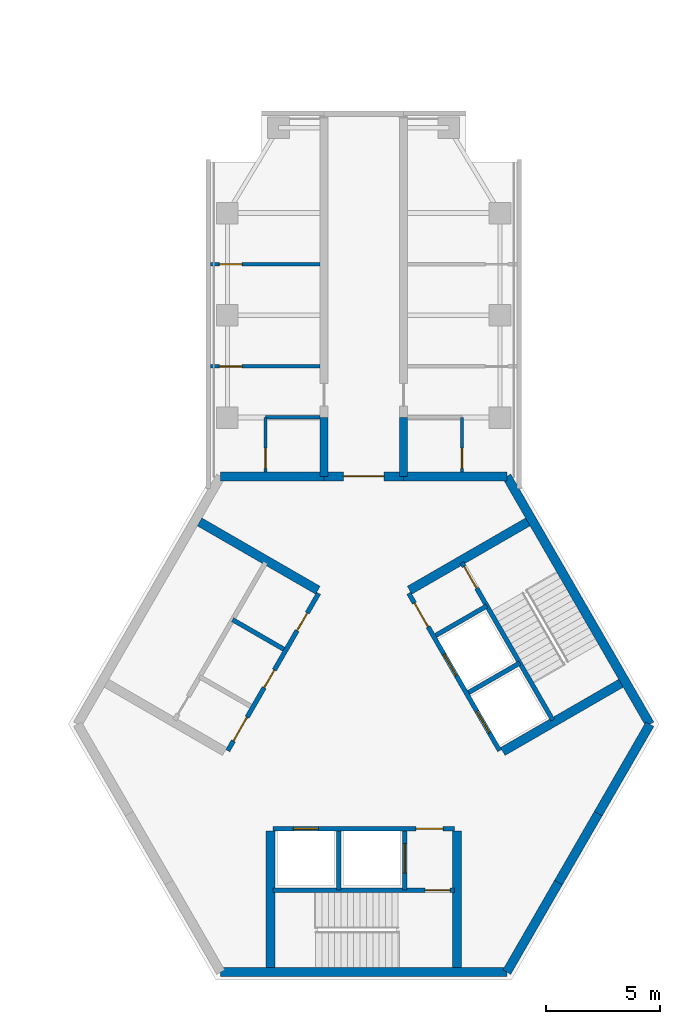
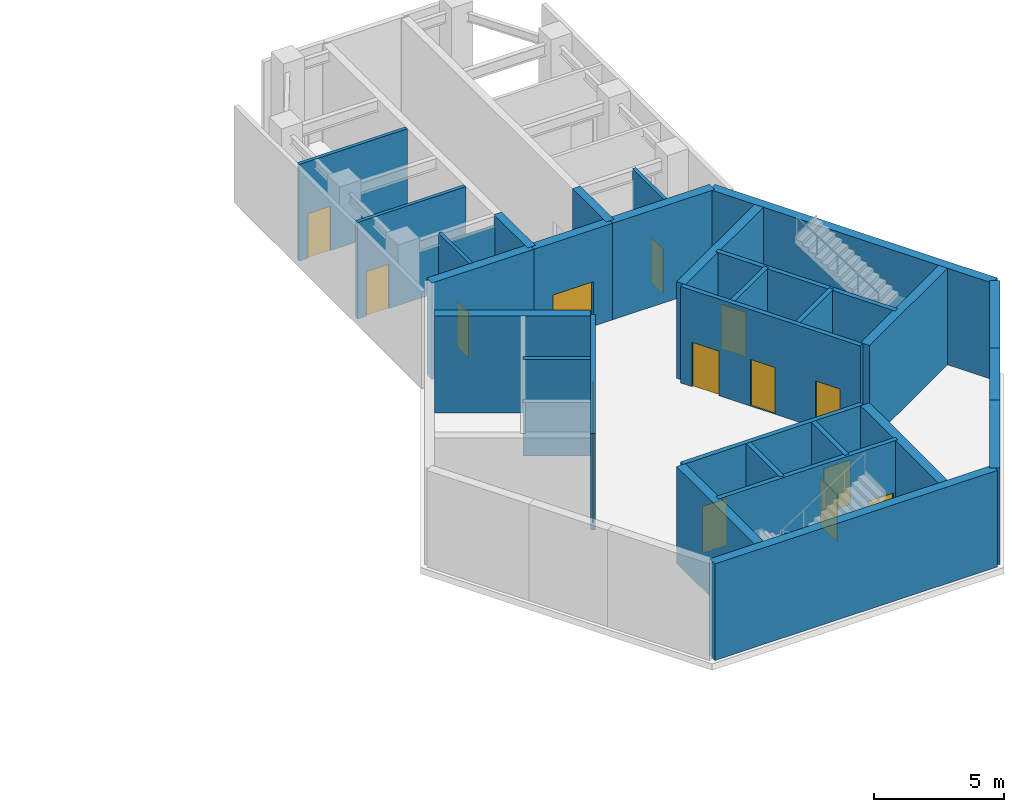
# One storey, part 5 of 8: 30 walls, 16 doors, 16 openings.
"""IFC4 building model written with IfcOpenShell, lengths in metres."""

from ifc_helpers import new_model, si_unit, direction, frame, frame_2d, origin, place, context, subcontext, project, spatial, rectangle, extrude, material, layer, layer_set, type_object, element, fill, save


model = new_model("IFC4")

# Units and contexts
model_context = context("Model", 3, precision=1e-05, world=origin(), true_north=direction((0.0, 1.0)))
body_context = subcontext(model_context, "Body", "Model", "MODEL_VIEW")
ifc_project = project(units=[si_unit("LENGTHUNIT", "METRE"), si_unit("AREAUNIT", "SQUARE_METRE"), si_unit("VOLUMEUNIT", "CUBIC_METRE"), si_unit("PLANEANGLEUNIT", "RADIAN"), si_unit("MASSUNIT", "GRAM", prefix="KILO")], contexts=[model_context])

# Site, building, storey
site_placement = place(None, origin())
site = spatial("IfcSite", under=ifc_project, at=site_placement, CompositionType="ELEMENT")
building_placement = place(site_placement, origin())
building = spatial("IfcBuilding", under=site, at=building_placement, Name="Upepo Twin Towers", CompositionType="ELEMENT")
storey_placement = place(building_placement, frame((0.0, 0.0, 291.5)))
storey = spatial("IfcBuildingStorey", under=building, at=storey_placement, Name="L71", CompositionType="ELEMENT", Elevation=291.5)

# Walls
ifc_material_1 = material(Name="Concrete C60/75", Category="concrete")
ifc_layer_1 = layer(ifc_material_1, 0.35009765625)
ifc_layer_set_1 = layer_set([ifc_layer_1], Name="Concrete C60/75")
wall_type_1 = type_object("IfcWallType", Name="Buttress wall 350 RC", PredefinedType="SHEAR", material=ifc_layer_set_1)
for number, where, z_axis, x_axis, name in (
    (1, (56.75, -7.091552734375, 0.0), (0.0, 0.0, 1.0), (0.0, 1.0, 0.0), "T2 wing A buttress wall L"),
    (2, (60.25, -7.091552734375, 0.0), (0.0, 0.0, 1.0), (0.0, 1.0, 0.0), "T2 wing A buttress wall R"),
):
    element("IfcWall", number, at=place(storey_placement, frame(where, z_axis=z_axis, x_axis=x_axis)), inside=storey, type_object=wall_type_1, Name=name, PredefinedType="SHEAR", context=body_context, shape_type="SweptSolid", body=[
        extrude(rectangle(XDim=2.591552734375, YDim=0.35009765625, at=frame_2d((1.2958984375, 0.0))), origin(), (0.0, 0.0, 1.0), 4.550048828125),
    ])
ifc_material_2 = material(Name="Concrete C60/75", Category="concrete")
ifc_layer_2 = layer(ifc_material_2, 0.39990234375)
ifc_layer_set_2 = layer_set([ifc_layer_2], Name="Concrete C60/75")
wall_type_2 = type_object("IfcWallType", Name="Core wall 400 RC", PredefinedType="SHEAR", material=ifc_layer_set_2)
wall_1_placement = place(storey_placement, frame((64.7978515625, -7.091552734375, 0.0), z_axis=(0.0, 0.0, 1.0), x_axis=(-1.0, 0.0, 0.0)))
element("IfcWall", 3, at=wall_1_placement, inside=storey, type_object=wall_type_2, Name="T2 core wall 000 R", PredefinedType="SHEAR", context=body_context, shape_type="SweptSolid", body=[
    extrude(rectangle(XDim=4.5478515625, YDim=0.39990234375, at=frame_2d((2.27392578125, 0.0))), origin(), (0.0, 0.0, 1.0), 4.550048828125),
])

# Wall, opening, door
wall_2_placement = place(storey_placement, frame((60.25, -7.091552734375, 0.0), z_axis=(0.0, 0.0, 1.0), x_axis=(-1.0, 0.0, 0.0)))
wall_2 = element("IfcWall", 4, at=wall_2_placement, inside=storey, type_object=wall_type_2, Name="T2 core wall 000", PredefinedType="SHEAR", context=body_context, shape_type="SweptSolid", body=[
    extrude(rectangle(XDim=3.5, YDim=0.39990234375, at=frame_2d((1.75, 0.0))), origin(), (0.0, 0.0, 1.0), 4.550048828125),
])
opening_1_placement = place(wall_2_placement, frame((0.85009765625, 0.0, 0.0)))
opening_1 = element("IfcOpeningElement", 5, at=opening_1_placement, cuts=wall_2, Name="Opening D2", PredefinedType="OPENING", context=body_context, shape_type="SweptSolid", body=[
    extrude(rectangle(XDim=1.800048828125, YDim=2.10009765625, at=frame_2d((0.89990234375, 1.050048828125))), frame((0.0, 0.2099609375, 0.0), z_axis=(0.0, -1.0, 0.0), x_axis=(1.0, 0.0, 0.0)), (0.0, 0.0, 1.0), 0.419921875),
])
ifc_material_3 = material(Name="Timber doorset", Category="wood")
door_type_1 = type_object("IfcDoorType", Name="Corridor double door 1800 FD60", OperationType="DOUBLE_DOOR_DOUBLE_SWING", PredefinedType="DOOR", material=ifc_material_3)
door_1_placement = place(opening_1_placement, origin())
door_1 = element("IfcDoor", 6, at=door_1_placement, inside=storey, type_object=door_type_1, Name="T2 L71 wing A corridor door", OperationType="DOUBLE_DOOR_DOUBLE_SWING", OverallHeight=2.10009765625, OverallWidth=1.800048828125, PredefinedType="DOOR", context=body_context, shape_type="SweptSolid", body=[
    extrude(rectangle(XDim=1.800048828125, YDim=2.10009765625, at=frame_2d((0.89990234375, 1.050048828125))), frame((0.0, 0.02490234375, 0.0), z_axis=(0.0, -1.0, 0.0), x_axis=(1.0, 0.0, 0.0)), (0.0, 0.0, 1.0), 0.050048828125),
])
fill(opening_1, door_1)

# Walls
wall_3_placement = place(storey_placement, frame((56.75, -7.091552734375, 0.0), z_axis=(0.0, 0.0, 1.0), x_axis=(-1.0, 0.0, 0.0)))
element("IfcWall", 7, at=wall_3_placement, inside=storey, type_object=wall_type_2, Name="T2 core wall 000 L", PredefinedType="SHEAR", context=body_context, shape_type="SweptSolid", body=[
    extrude(rectangle(XDim=4.5478515625, YDim=0.39990234375, at=frame_2d((2.27392578125, 0.0))), origin(), (0.0, 0.0, 1.0), 4.550048828125),
])
wall_4_placement = place(storey_placement, frame((52.2021484375, -28.908447265625, 0.0), z_axis=(0.0, 0.0, 1.0), x_axis=(1.0, 0.0, 0.0)))
element("IfcWall", 8, at=wall_4_placement, inside=storey, type_object=wall_type_2, Name="T2 core wall 180", PredefinedType="SHEAR", context=body_context, shape_type="SweptSolid", body=[
    extrude(rectangle(XDim=12.595703125, YDim=0.39990234375, at=frame_2d((6.2978515625, 0.0))), origin(), (0.0, 0.0, 1.0), 4.550048828125),
])
wall_5_placement = place(storey_placement, frame((64.7978515625, -28.908447265625, 0.0), z_axis=(0.0, 0.0, 1.0), x_axis=(0.499984222037, 0.866034513004, 0.0)))
element("IfcWall", 9, at=wall_5_placement, inside=storey, type_object=wall_type_2, Name="T2 core wall 240 R", PredefinedType="SHEAR", context=body_context, shape_type="SweptSolid", body=[
    extrude(rectangle(XDim=4.548095703125, YDim=0.39990234375, at=frame_2d((2.27392578125, 0.0))), origin(), (0.0, 0.0, 1.0), 4.550048828125),
])
wall_6_placement = place(storey_placement, frame((67.07177734375, -24.9697265625, 0.0), z_axis=(0.0, 0.0, 1.0), x_axis=(0.500010275428, 0.866019471182, 0.0)))
element("IfcWall", 10, at=wall_6_placement, inside=storey, type_object=wall_type_2, Name="T2 core wall 240", PredefinedType="SHEAR", context=body_context, shape_type="SweptSolid", body=[
    extrude(rectangle(XDim=3.5, YDim=0.39990234375, at=frame_2d((1.75, 0.0))), origin(), (0.0, 0.0, 1.0), 4.550048828125),
])
wall_7_placement = place(storey_placement, frame((68.82177734375, -21.938720703125, 0.0), z_axis=(0.0, 0.0, 1.0), x_axis=(0.500024481964, 0.866011268655, 0.0)))
element("IfcWall", 11, at=wall_7_placement, inside=storey, type_object=wall_type_2, Name="T2 core wall 240 L", PredefinedType="SHEAR", context=body_context, shape_type="SweptSolid", body=[
    extrude(rectangle(XDim=4.548095703125, YDim=0.39990234375, at=frame_2d((2.27392578125, 0.0))), origin(), (0.0, 0.0, 1.0), 4.550048828125),
])
wall_8_placement = place(storey_placement, frame((71.095947265625, -18.0, 0.0), z_axis=(0.0, 0.0, 1.0), x_axis=(-0.500005998175, 0.866021940709, 0.0)))
element("IfcWall", 12, at=wall_8_placement, inside=storey, type_object=wall_type_2, Name="T2 core wall 300", PredefinedType="SHEAR", context=body_context, shape_type="SweptSolid", body=[
    extrude(rectangle(XDim=12.595947265625, YDim=0.39990234375, at=frame_2d((6.2978515625, 0.0))), origin(), (0.0, 0.0, 1.0), 4.550048828125),
])

# Wall, openings, doors
ifc_material_4 = material(Name="Concrete C40/50", Category="concrete")
ifc_layer_3 = layer(ifc_material_4, 0.199951171875)
ifc_layer_set_3 = layer_set([ifc_layer_3], Name="Concrete C40/50")
wall_type_3 = type_object("IfcWallType", Name="Shaft wall 200 RC", PredefinedType="SHEAR", material=ifc_layer_set_3)
wall_9_placement = place(storey_placement, frame((56.516357421875, -12.23583984375, 0.0), z_axis=(0.0, 0.0, 1.0), x_axis=(-0.49999894854, -0.866026010844, 0.0)))
wall_9 = element("IfcWall", 13, at=wall_9_placement, inside=storey, type_object=wall_type_3, Name="T2 core W60 front wall", PredefinedType="SHEAR", context=body_context, shape_type="SweptSolid", body=[
    extrude(rectangle(XDim=8.0, YDim=0.199951171875, at=frame_2d((4.0, 0.0))), origin(), (0.0, 0.0, 1.0), 4.550048828125),
])
opening_2_placement = place(wall_9_placement, frame((6.300048828125, 0.0, 0.0)))
opening_2 = element("IfcOpeningElement", 14, at=opening_2_placement, cuts=wall_9, Name="Opening D4", PredefinedType="OPENING", context=body_context, shape_type="SweptSolid", body=[
    extrude(rectangle(XDim=1.199951171875, YDim=2.10009765625, at=frame_2d((0.60009765625, 1.050048828125))), frame((0.0, 0.10986328125, 0.0), z_axis=(0.0, -1.0, 0.0), x_axis=(1.0, 0.0, 0.0)), (0.0, 0.0, 1.0), 0.219970703125),
])
opening_3_placement = place(wall_9_placement, frame((1.0, 0.0, 0.0)))
opening_3 = element("IfcOpeningElement", 15, at=opening_3_placement, cuts=wall_9, Name="Opening D9", PredefinedType="OPENING", context=body_context, shape_type="SweptSolid", body=[
    extrude(rectangle(XDim=0.89990234375, YDim=2.10009765625, at=frame_2d((0.449951171875, 1.050048828125))), frame((0.0, 0.10986328125, 0.0), z_axis=(0.0, -1.0, 0.0), x_axis=(1.0, 0.0, 0.0)), (0.0, 0.0, 1.0), 0.219970703125),
])
opening_4_placement = place(wall_9_placement, frame((3.89990234375, 0.0, 0.0)))
opening_4 = element("IfcOpeningElement", 16, at=opening_4_placement, cuts=wall_9, Name="Opening D9", PredefinedType="OPENING", context=body_context, shape_type="SweptSolid", body=[
    extrude(rectangle(XDim=0.89990234375, YDim=2.10009765625, at=frame_2d((0.449951171875, 1.050048828125))), frame((0.0, 0.10986328125, 0.0), z_axis=(0.0, -1.0, 0.0), x_axis=(1.0, 0.0, 0.0)), (0.0, 0.0, 1.0), 0.219970703125),
])
ifc_material_5 = material(Name="Timber doorset", Category="wood")
door_type_2 = type_object("IfcDoorType", Name="Lobby door 1200 FD60", OperationType="SINGLE_SWING_LEFT", PredefinedType="DOOR", material=ifc_material_5)
door_2_placement = place(opening_2_placement, origin())
door_2 = element("IfcDoor", 17, at=door_2_placement, inside=storey, type_object=door_type_2, Name="T2 L71 W60 lobby door", OperationType="SINGLE_SWING_RIGHT", OverallHeight=2.10009765625, OverallWidth=1.199951171875, PredefinedType="DOOR", context=body_context, shape_type="SweptSolid", body=[
    extrude(rectangle(XDim=1.199951171875, YDim=2.10009765625, at=frame_2d((0.60009765625, 1.050048828125))), frame((0.0, 0.02490234375, 0.0), z_axis=(0.0, -1.0, 0.0), x_axis=(1.0, 0.0, 0.0)), (0.0, 0.0, 1.0), 0.050048828125),
])
fill(opening_2, door_2)
ifc_material_6 = material(Name="Timber doorset", Category="wood")
door_type_3 = type_object("IfcDoorType", Name="Riser door 900 FD60", OperationType="SINGLE_SWING_LEFT", PredefinedType="DOOR", material=ifc_material_6)
door_3_placement = place(opening_3_placement, origin())
door_3 = element("IfcDoor", 18, at=door_3_placement, inside=storey, type_object=door_type_3, Name="T2 L71 water booster pump room door", OperationType="SINGLE_SWING_LEFT", OverallHeight=2.10009765625, OverallWidth=0.89990234375, PredefinedType="DOOR", context=body_context, shape_type="SweptSolid", body=[
    extrude(rectangle(XDim=0.89990234375, YDim=2.10009765625, at=frame_2d((0.449951171875, 1.050048828125))), frame((0.0, 0.02490234375, 0.0), z_axis=(0.0, -1.0, 0.0), x_axis=(1.0, 0.0, 0.0)), (0.0, 0.0, 1.0), 0.050048828125),
])
fill(opening_3, door_3)
door_4_placement = place(opening_4_placement, origin())
door_4 = element("IfcDoor", 19, at=door_4_placement, inside=storey, type_object=door_type_3, Name="T2 L71 electrical switch room door", OperationType="SINGLE_SWING_RIGHT", OverallHeight=2.10009765625, OverallWidth=0.89990234375, PredefinedType="DOOR", context=body_context, shape_type="SweptSolid", body=[
    extrude(rectangle(XDim=0.89990234375, YDim=2.10009765625, at=frame_2d((0.449951171875, 1.050048828125))), frame((0.0, 0.02490234375, 0.0), z_axis=(0.0, -1.0, 0.0), x_axis=(1.0, 0.0, 0.0)), (0.0, 0.0, 1.0), 0.050048828125),
])
fill(opening_4, door_4)

# Wall
wall_10_placement = place(storey_placement, frame((54.979736328125, -14.697265625, 0.0), z_axis=(0.0, 0.0, 1.0), x_axis=(-0.866062058628, 0.499936506574, 0.0)))
element("IfcWall", 20, at=wall_10_placement, inside=storey, type_object=wall_type_3, Name="T2 core W60 shaft divider", PredefinedType="SHEAR", context=body_context, shape_type="SweptSolid", body=[
    extrude(rectangle(XDim=2.599853515625, YDim=0.199951171875, at=frame_2d((1.2998046875, 0.0))), origin(), (0.0, 0.0, 1.0), 4.550048828125),
])

# Wall, openings, doors
wall_11_placement = place(storey_placement, frame((54.5, -22.60009765625, 0.0), z_axis=(0.0, 0.0, 1.0), x_axis=(1.0, 0.0, 0.0)))
wall_11 = element("IfcWall", 21, at=wall_11_placement, inside=storey, type_object=wall_type_3, Name="T2 core W180 front wall", PredefinedType="SHEAR", context=body_context, shape_type="SweptSolid", body=[
    extrude(rectangle(XDim=8.0, YDim=0.199951171875, at=frame_2d((4.0, 0.0))), origin(), (0.0, 0.0, 1.0), 4.550048828125),
])
opening_5_placement = place(wall_11_placement, frame((6.300048828125, 0.0, 0.0)))
opening_5 = element("IfcOpeningElement", 22, at=opening_5_placement, cuts=wall_11, Name="Opening D4", PredefinedType="OPENING", context=body_context, shape_type="SweptSolid", body=[
    extrude(rectangle(XDim=1.199951171875, YDim=2.10009765625, at=frame_2d((0.60009765625, 1.050048828125))), frame((0.0, 0.10986328125, 0.0), z_axis=(0.0, -1.0, 0.0), x_axis=(1.0, 0.0, 0.0)), (0.0, 0.0, 1.0), 0.219970703125),
])
opening_6_placement = place(wall_11_placement, frame((0.89990234375, 0.0, 0.0)))
opening_6 = element("IfcOpeningElement", 23, at=opening_6_placement, cuts=wall_11, Name="Opening LD1", PredefinedType="OPENING", context=body_context, shape_type="SweptSolid", body=[
    extrude(rectangle(XDim=1.10009765625, YDim=2.199951171875, at=frame_2d((0.550048828125, 1.10009765625))), frame((0.0, 0.10986328125, 0.0), z_axis=(0.0, -1.0, 0.0), x_axis=(1.0, 0.0, 0.0)), (0.0, 0.0, 1.0), 0.219970703125),
])
ifc_material_7 = material(Name="Steel doorset", Category="steel")
door_type_4 = type_object("IfcDoorType", Name="Lift landing door 1100", OperationType="DOUBLE_DOOR_SLIDING", PredefinedType="DOOR", material=ifc_material_7)
door_5_placement = place(opening_6_placement, origin())
door_5 = element("IfcDoor", 24, at=door_5_placement, inside=storey, type_object=door_type_4, Name="T2 L71 lift SV1 landing door", OperationType="DOUBLE_DOOR_SLIDING", OverallHeight=2.199951171875, OverallWidth=1.10009765625, PredefinedType="DOOR", context=body_context, shape_type="SweptSolid", body=[
    extrude(rectangle(XDim=1.10009765625, YDim=2.199951171875, at=frame_2d((0.550048828125, 1.10009765625))), frame((0.0, 0.02490234375, 0.0), z_axis=(0.0, -1.0, 0.0), x_axis=(1.0, 0.0, 0.0)), (0.0, 0.0, 1.0), 0.050048828125),
])
fill(opening_6, door_5)
door_6_placement = place(opening_5_placement, origin())
door_6 = element("IfcDoor", 25, at=door_6_placement, inside=storey, type_object=door_type_2, Name="T2 L71 W180 lobby door", OperationType="SINGLE_SWING_RIGHT", OverallHeight=2.10009765625, OverallWidth=1.199951171875, PredefinedType="DOOR", context=body_context, shape_type="SweptSolid", body=[
    extrude(rectangle(XDim=1.199951171875, YDim=2.10009765625, at=frame_2d((0.60009765625, 1.050048828125))), frame((0.0, 0.02490234375, 0.0), z_axis=(0.0, -1.0, 0.0), x_axis=(1.0, 0.0, 0.0)), (0.0, 0.0, 1.0), 0.050048828125),
])
fill(opening_5, door_6)

# Wall
wall_12_placement = place(storey_placement, frame((57.39990234375, -22.699951171875, 0.0), z_axis=(0.0, 0.0, 1.0), x_axis=(0.0, -1.0, 0.0)))
element("IfcWall", 26, at=wall_12_placement, inside=storey, type_object=wall_type_3, Name="T2 core W180 shaft divider", PredefinedType="SHEAR", context=body_context, shape_type="SweptSolid", body=[
    extrude(rectangle(XDim=2.60009765625, YDim=0.199951171875, at=frame_2d((1.300048828125, 0.0))), origin(), (0.0, 0.0, 1.0), 4.550048828125),
])

# Wall, opening, door
wall_13_placement = place(storey_placement, frame((60.300048828125, -22.699951171875, 0.0), z_axis=(0.0, 0.0, 1.0), x_axis=(0.0, -1.0, 0.0)))
wall_13 = element("IfcWall", 27, at=wall_13_placement, inside=storey, type_object=wall_type_3, Name="T2 core W180 lobby wall", PredefinedType="SHEAR", context=body_context, shape_type="SweptSolid", body=[
    extrude(rectangle(XDim=2.60009765625, YDim=0.199951171875, at=frame_2d((1.300048828125, 0.0))), origin(), (0.0, 0.0, 1.0), 4.550048828125),
])
opening_7_placement = place(wall_13_placement, frame((0.550048828125, 0.0, 0.0)))
opening_7 = element("IfcOpeningElement", 28, at=opening_7_placement, cuts=wall_13, Name="Opening LD2", PredefinedType="OPENING", context=body_context, shape_type="SweptSolid", body=[
    extrude(rectangle(XDim=1.300048828125, YDim=2.199951171875, at=frame_2d((0.64990234375, 1.10009765625))), frame((0.0, 0.10986328125, 0.0), z_axis=(0.0, -1.0, 0.0), x_axis=(1.0, 0.0, 0.0)), (0.0, 0.0, 1.0), 0.219970703125),
])
ifc_material_8 = material(Name="Steel doorset", Category="steel")
door_type_5 = type_object("IfcDoorType", Name="Firefighting lift landing door 1300", OperationType="DOUBLE_DOOR_SLIDING", PredefinedType="DOOR", material=ifc_material_8)
door_7_placement = place(opening_7_placement, origin())
door_7 = element("IfcDoor", 29, at=door_7_placement, inside=storey, type_object=door_type_5, Name="T2 L71 firefighting lift landing door", OperationType="DOUBLE_DOOR_SLIDING", OverallHeight=2.199951171875, OverallWidth=1.300048828125, PredefinedType="DOOR", context=body_context, shape_type="SweptSolid", body=[
    extrude(rectangle(XDim=1.300048828125, YDim=2.199951171875, at=frame_2d((0.64990234375, 1.10009765625))), frame((0.0, 0.02490234375, 0.0), z_axis=(0.0, -1.0, 0.0), x_axis=(1.0, 0.0, 0.0)), (0.0, 0.0, 1.0), 0.050048828125),
])
fill(opening_7, door_7)

wall_14_placement = place(storey_placement, frame((54.5, -25.300048828125, 0.0), z_axis=(0.0, 0.0, 1.0), x_axis=(1.0, 0.0, 0.0)))
wall_14 = element("IfcWall", 30, at=wall_14_placement, inside=storey, type_object=wall_type_3, Name="T2 core W180 stair wall", PredefinedType="SHEAR", context=body_context, shape_type="SweptSolid", body=[
    extrude(rectangle(XDim=8.0, YDim=0.199951171875, at=frame_2d((4.0, 0.0))), origin(), (0.0, 0.0, 1.0), 4.550048828125),
])
opening_8_placement = place(wall_14_placement, frame((6.699951171875, 0.0, 0.0)))
opening_8 = element("IfcOpeningElement", 31, at=opening_8_placement, cuts=wall_14, Name="Opening D3", PredefinedType="OPENING", context=body_context, shape_type="SweptSolid", body=[
    extrude(rectangle(XDim=1.10009765625, YDim=2.10009765625, at=frame_2d((0.550048828125, 1.050048828125))), frame((0.0, 0.10986328125, 0.0), z_axis=(0.0, -1.0, 0.0), x_axis=(1.0, 0.0, 0.0)), (0.0, 0.0, 1.0), 0.219970703125),
])
ifc_material_9 = material(Name="Timber doorset", Category="wood")
door_type_6 = type_object("IfcDoorType", Name="Stair door 1100 FD60", OperationType="SINGLE_SWING_LEFT", PredefinedType="DOOR", material=ifc_material_9)
door_8_placement = place(opening_8_placement, origin())
door_8 = element("IfcDoor", 32, at=door_8_placement, inside=storey, type_object=door_type_6, Name="T2 L71 stair door", OperationType="SINGLE_SWING_RIGHT", OverallHeight=2.10009765625, OverallWidth=1.10009765625, PredefinedType="DOOR", context=body_context, shape_type="SweptSolid", body=[
    extrude(rectangle(XDim=1.10009765625, YDim=2.10009765625, at=frame_2d((0.550048828125, 1.050048828125))), frame((0.0, 0.02490234375, 0.0), z_axis=(0.0, -1.0, 0.0), x_axis=(1.0, 0.0, 0.0)), (0.0, 0.0, 1.0), 0.050048828125),
])
fill(opening_8, door_8)

# Wall, openings, doors
wall_15_placement = place(storey_placement, frame((64.483642578125, -19.1640625, 0.0), z_axis=(0.0, 0.0, 1.0), x_axis=(-0.49999894854, 0.866026010844, 0.0)))
wall_15 = element("IfcWall", 33, at=wall_15_placement, inside=storey, type_object=wall_type_3, Name="T2 core W300 front wall", PredefinedType="SHEAR", context=body_context, shape_type="SweptSolid", body=[
    extrude(rectangle(XDim=8.0, YDim=0.199951171875, at=frame_2d((4.0, 0.0))), origin(), (0.0, 0.0, 1.0), 4.550048828125),
])
opening_9_placement = place(wall_15_placement, frame((6.300048828125, 0.0, 0.0)))
opening_9 = element("IfcOpeningElement", 34, at=opening_9_placement, cuts=wall_15, Name="Opening D4", PredefinedType="OPENING", context=body_context, shape_type="SweptSolid", body=[
    extrude(rectangle(XDim=1.199951171875, YDim=2.10009765625, at=frame_2d((0.60009765625, 1.050048828125))), frame((0.0, 0.10986328125, 0.0), z_axis=(0.0, -1.0, 0.0), x_axis=(1.0, 0.0, 0.0)), (0.0, 0.0, 1.0), 0.219970703125),
])
opening_10_placement = place(wall_15_placement, frame((0.89990234375, 0.0, 0.0)))
opening_10 = element("IfcOpeningElement", 35, at=opening_10_placement, cuts=wall_15, Name="Opening LD1", PredefinedType="OPENING", context=body_context, shape_type="SweptSolid", body=[
    extrude(rectangle(XDim=1.10009765625, YDim=2.199951171875, at=frame_2d((0.550048828125, 1.10009765625))), frame((0.0, 0.10986328125, 0.0), z_axis=(0.0, -1.0, 0.0), x_axis=(1.0, 0.0, 0.0)), (0.0, 0.0, 1.0), 0.219970703125),
])
opening_11_placement = place(wall_15_placement, frame((3.800048828125, 0.0, 0.0)))
opening_11 = element("IfcOpeningElement", 36, at=opening_11_placement, cuts=wall_15, Name="Opening LD1", PredefinedType="OPENING", context=body_context, shape_type="SweptSolid", body=[
    extrude(rectangle(XDim=1.10009765625, YDim=2.199951171875, at=frame_2d((0.550048828125, 1.10009765625))), frame((0.0, 0.10986328125, 0.0), z_axis=(0.0, -1.0, 0.0), x_axis=(1.0, 0.0, 0.0)), (0.0, 0.0, 1.0), 0.219970703125),
])
door_9_placement = place(opening_10_placement, origin())
door_9 = element("IfcDoor", 37, at=door_9_placement, inside=storey, type_object=door_type_4, Name="T2 L71 lift TL1 landing door", OperationType="DOUBLE_DOOR_SLIDING", OverallHeight=2.199951171875, OverallWidth=1.10009765625, PredefinedType="DOOR", context=body_context, shape_type="SweptSolid", body=[
    extrude(rectangle(XDim=1.10009765625, YDim=2.199951171875, at=frame_2d((0.550048828125, 1.10009765625))), frame((0.0, 0.02490234375, 0.0), z_axis=(0.0, -1.0, 0.0), x_axis=(1.0, 0.0, 0.0)), (0.0, 0.0, 1.0), 0.050048828125),
])
fill(opening_10, door_9)
door_10_placement = place(opening_11_placement, origin())
door_10 = element("IfcDoor", 38, at=door_10_placement, inside=storey, type_object=door_type_4, Name="T2 L71 lift TL2 landing door", OperationType="DOUBLE_DOOR_SLIDING", OverallHeight=2.199951171875, OverallWidth=1.10009765625, PredefinedType="DOOR", context=body_context, shape_type="SweptSolid", body=[
    extrude(rectangle(XDim=1.10009765625, YDim=2.199951171875, at=frame_2d((0.550048828125, 1.10009765625))), frame((0.0, 0.02490234375, 0.0), z_axis=(0.0, -1.0, 0.0), x_axis=(1.0, 0.0, 0.0)), (0.0, 0.0, 1.0), 0.050048828125),
])
fill(opening_11, door_10)
door_11_placement = place(opening_9_placement, origin())
door_11 = element("IfcDoor", 39, at=door_11_placement, inside=storey, type_object=door_type_2, Name="T2 L71 W300 lobby door", OperationType="SINGLE_SWING_RIGHT", OverallHeight=2.10009765625, OverallWidth=1.199951171875, PredefinedType="DOOR", context=body_context, shape_type="SweptSolid", body=[
    extrude(rectangle(XDim=1.199951171875, YDim=2.10009765625, at=frame_2d((0.60009765625, 1.050048828125))), frame((0.0, 0.02490234375, 0.0), z_axis=(0.0, -1.0, 0.0), x_axis=(1.0, 0.0, 0.0)), (0.0, 0.0, 1.0), 0.050048828125),
])
fill(opening_9, door_11)

# Walls
wall_16_placement = place(storey_placement, frame((63.120361328125, -16.6025390625, 0.0), z_axis=(0.0, 0.0, 1.0), x_axis=(0.866062058628, 0.499936506574, 0.0)))
element("IfcWall", 40, at=wall_16_placement, inside=storey, type_object=wall_type_3, Name="T2 core W300 shaft divider", PredefinedType="SHEAR", context=body_context, shape_type="SweptSolid", body=[
    extrude(rectangle(XDim=2.599853515625, YDim=0.199951171875, at=frame_2d((1.2998046875, 0.0))), origin(), (0.0, 0.0, 1.0), 4.550048828125),
])
wall_17_placement = place(storey_placement, frame((61.67041015625, -14.091064453125, 0.0), z_axis=(0.0, 0.0, 1.0), x_axis=(0.86603858612, 0.49997716683, 0.0)))
element("IfcWall", 41, at=wall_17_placement, inside=storey, type_object=wall_type_3, Name="T2 core W300 lobby wall", PredefinedType="SHEAR", context=body_context, shape_type="SweptSolid", body=[
    extrude(rectangle(XDim=2.599609375, YDim=0.199951171875, at=frame_2d((1.2998046875, 0.0))), origin(), (0.0, 0.0, 1.0), 4.550048828125),
])

# Wall, opening, door
wall_18_placement = place(storey_placement, frame((66.822021484375, -17.814208984375, 0.0), z_axis=(0.0, 0.0, 1.0), x_axis=(-0.49999894854, 0.866026010844, 0.0)))
wall_18 = element("IfcWall", 42, at=wall_18_placement, inside=storey, type_object=wall_type_3, Name="T2 core W300 stair wall", PredefinedType="SHEAR", context=body_context, shape_type="SweptSolid", body=[
    extrude(rectangle(XDim=8.0, YDim=0.199951171875, at=frame_2d((4.0, 0.0))), origin(), (0.0, 0.0, 1.0), 4.550048828125),
])
opening_12_placement = place(wall_18_placement, frame((6.699951171875, 0.0, 0.0)))
opening_12 = element("IfcOpeningElement", 43, at=opening_12_placement, cuts=wall_18, Name="Opening D3", PredefinedType="OPENING", context=body_context, shape_type="SweptSolid", body=[
    extrude(rectangle(XDim=1.10009765625, YDim=2.10009765625, at=frame_2d((0.550048828125, 1.050048828125))), frame((0.0, 0.10986328125, 0.0), z_axis=(0.0, -1.0, 0.0), x_axis=(1.0, 0.0, 0.0)), (0.0, 0.0, 1.0), 0.219970703125),
])
door_12_placement = place(opening_12_placement, origin())
door_12 = element("IfcDoor", 44, at=door_12_placement, inside=storey, type_object=door_type_6, Name="T2 L71 stair door", OperationType="SINGLE_SWING_RIGHT", OverallHeight=2.10009765625, OverallWidth=1.10009765625, PredefinedType="DOOR", context=body_context, shape_type="SweptSolid", body=[
    extrude(rectangle(XDim=1.10009765625, YDim=2.10009765625, at=frame_2d((0.550048828125, 1.050048828125))), frame((0.0, 0.02490234375, 0.0), z_axis=(0.0, -1.0, 0.0), x_axis=(1.0, 0.0, 0.0)), (0.0, 0.0, 1.0), 0.050048828125),
])
fill(opening_12, door_12)

# Walls
ifc_material_10 = material(Name="Concrete C40/50", Category="concrete")
ifc_layer_4 = layer(ifc_material_10, 0.39990234375)
ifc_layer_set_4 = layer_set([ifc_layer_4], Name="Concrete C40/50")
wall_type_4 = type_object("IfcWallType", Name="Shaft wall 400 RC", PredefinedType="SHEAR", material=ifc_layer_set_4)
for number, where, z_axis, x_axis, name in (
    (45, (56.479736328125, -12.099365234375, 0.0), (0.0, 0.0, 1.0), (-0.866026570101, 0.499997979876, 0.0), "T2 core W60 side wall S"),
    (46, (62.60009765625, -22.699951171875, 0.0), (0.0, 0.0, 1.0), (0.0, -1.0, 0.0), "T2 core W180 side wall N"),
    (47, (54.39990234375, -22.699951171875, 0.0), (0.0, 0.0, 1.0), (0.0, -1.0, 0.0), "T2 core W180 side wall S"),
    (48, (60.520263671875, -12.099365234375, 0.0), (0.0, 0.0, 1.0), (0.866026570101, 0.499997979876, 0.0), "T2 core W300 side wall N"),
    (49, (64.620361328125, -19.20068359375, 0.0), (0.0, 0.0, 1.0), (0.866026570101, 0.499997979876, 0.0), "T2 core W300 side wall S"),
):
    element("IfcWall", number, at=place(storey_placement, frame(where, z_axis=z_axis, x_axis=x_axis)), inside=storey, type_object=wall_type_4, Name=name, PredefinedType="SHEAR", context=body_context, shape_type="SweptSolid", body=[
        extrude(rectangle(XDim=6.00830078125, YDim=0.39990234375, at=frame_2d((3.004150390625, 0.0))), origin(), (0.0, 0.0, 1.0), 4.550048828125),
    ])

# Wall, opening, door
ifc_material_11 = material(Name="Gypsum board on steel studs", Category="steel")
ifc_layer_5 = layer(ifc_material_11, 0.14990234375)
ifc_layer_set_5 = layer_set([ifc_layer_5], Name="Teaching partition 150 acoustic")
wall_type_5 = type_object("IfcWallType", Name="Teaching partition 150 acoustic", PredefinedType="PARTITIONING", material=ifc_layer_set_5)
wall_19_placement = place(storey_placement, frame((56.574951171875, -2.25, 0.0), z_axis=(0.0, 0.0, 1.0), x_axis=(-1.0, 0.0, 0.0)))
wall_19 = element("IfcWall", 50, at=wall_19_placement, inside=storey, type_object=wall_type_5, Name="T2 partition AL at 15.75", PredefinedType="PARTITIONING", context=body_context, shape_type="SweptSolid", body=[
    extrude(rectangle(XDim=4.824951171875, YDim=0.14990234375, at=frame_2d((2.41259765625, 0.0))), origin(), (0.0, 0.0, 1.0), 4.550048828125),
])
opening_13_placement = place(wall_19_placement, frame((3.425048828125, 0.0, 0.0)))
opening_13 = element("IfcOpeningElement", 51, at=opening_13_placement, cuts=wall_19, Name="Opening D1", PredefinedType="OPENING", context=body_context, shape_type="SweptSolid", body=[
    extrude(rectangle(XDim=1.0, YDim=2.10009765625, at=frame_2d((0.5, 1.050048828125))), frame((0.0, 0.0849609375, 0.0), z_axis=(0.0, -1.0, 0.0), x_axis=(1.0, 0.0, 0.0)), (0.0, 0.0, 1.0), 0.169921875),
])
ifc_material_12 = material(Name="Timber doorset", Category="wood")
door_type_7 = type_object("IfcDoorType", Name="Room door 1000 FD30", OperationType="SINGLE_SWING_LEFT", PredefinedType="DOOR", material=ifc_material_12)
door_13_placement = place(opening_13_placement, origin())
door_13 = element("IfcDoor", 52, at=door_13_placement, inside=storey, type_object=door_type_7, Name="T2 L71 connecting door", OperationType="SINGLE_SWING_RIGHT", OverallHeight=2.10009765625, OverallWidth=1.0, PredefinedType="DOOR", context=body_context, shape_type="SweptSolid", body=[
    extrude(rectangle(XDim=1.0, YDim=2.10009765625, at=frame_2d((0.5, 1.050048828125))), frame((0.0, 0.02490234375, 0.0), z_axis=(0.0, -1.0, 0.0), x_axis=(1.0, 0.0, 0.0)), (0.0, 0.0, 1.0), 0.050048828125),
])
fill(opening_13, door_13)

wall_20_placement = place(storey_placement, frame((56.574951171875, 2.25, 0.0), z_axis=(0.0, 0.0, 1.0), x_axis=(-1.0, 0.0, 0.0)))
wall_20 = element("IfcWall", 53, at=wall_20_placement, inside=storey, type_object=wall_type_5, Name="T2 partition AL at 20.25", PredefinedType="PARTITIONING", context=body_context, shape_type="SweptSolid", body=[
    extrude(rectangle(XDim=4.824951171875, YDim=0.14990234375, at=frame_2d((2.41259765625, 0.0))), origin(), (0.0, 0.0, 1.0), 4.550048828125),
])
opening_14_placement = place(wall_20_placement, frame((3.425048828125, 0.0, 0.0)))
opening_14 = element("IfcOpeningElement", 54, at=opening_14_placement, cuts=wall_20, Name="Opening D1", PredefinedType="OPENING", context=body_context, shape_type="SweptSolid", body=[
    extrude(rectangle(XDim=1.0, YDim=2.10009765625, at=frame_2d((0.5, 1.050048828125))), frame((0.0, 0.0849609375, 0.0), z_axis=(0.0, -1.0, 0.0), x_axis=(1.0, 0.0, 0.0)), (0.0, 0.0, 1.0), 0.169921875),
])
door_14_placement = place(opening_14_placement, origin())
door_14 = element("IfcDoor", 55, at=door_14_placement, inside=storey, type_object=door_type_7, Name="T2 L71 connecting door", OperationType="SINGLE_SWING_RIGHT", OverallHeight=2.10009765625, OverallWidth=1.0, PredefinedType="DOOR", context=body_context, shape_type="SweptSolid", body=[
    extrude(rectangle(XDim=1.0, YDim=2.10009765625, at=frame_2d((0.5, 1.050048828125))), frame((0.0, 0.02490234375, 0.0), z_axis=(0.0, -1.0, 0.0), x_axis=(1.0, 0.0, 0.0)), (0.0, 0.0, 1.0), 0.050048828125),
])
fill(opening_14, door_14)

wall_21_placement = place(storey_placement, frame((54.175048828125, -6.89208984375, 0.0), z_axis=(0.0, 0.0, 1.0), x_axis=(0.0, 1.0, 0.0)))
wall_21 = element("IfcWall", 56, at=wall_21_placement, inside=storey, type_object=wall_type_5, Name="T2 WC bay partition AL at 11.11", PredefinedType="PARTITIONING", context=body_context, shape_type="SweptSolid", body=[
    extrude(rectangle(XDim=2.400146484375, YDim=0.14990234375, at=frame_2d((1.2001953125, 0.0))), origin(), (0.0, 0.0, 1.0), 4.550048828125),
])
opening_15_placement = place(wall_21_placement, frame((0.14990234375, 0.0, 0.0)))
opening_15 = element("IfcOpeningElement", 57, at=opening_15_placement, cuts=wall_21, Name="Opening D14", PredefinedType="OPENING", context=body_context, shape_type="SweptSolid", body=[
    extrude(rectangle(XDim=0.89990234375, YDim=2.10009765625, at=frame_2d((0.449951171875, 1.050048828125))), frame((0.0, 0.0849609375, 0.0), z_axis=(0.0, -1.0, 0.0), x_axis=(1.0, 0.0, 0.0)), (0.0, 0.0, 1.0), 0.169921875),
])
ifc_material_13 = material(Name="Timber doorset", Category="wood")
door_type_8 = type_object("IfcDoorType", Name="Office door 900 FD30", OperationType="SINGLE_SWING_LEFT", PredefinedType="DOOR", material=ifc_material_13)
door_15_placement = place(opening_15_placement, origin())
door_15 = element("IfcDoor", 58, at=door_15_placement, inside=storey, type_object=door_type_8, Name="T2 L71 WC bay inner room door", OperationType="SINGLE_SWING_LEFT", OverallHeight=2.10009765625, OverallWidth=0.89990234375, PredefinedType="DOOR", context=body_context, shape_type="SweptSolid", body=[
    extrude(rectangle(XDim=0.89990234375, YDim=2.10009765625, at=frame_2d((0.449951171875, 1.050048828125))), frame((0.0, 0.02490234375, 0.0), z_axis=(0.0, -1.0, 0.0), x_axis=(1.0, 0.0, 0.0)), (0.0, 0.0, 1.0), 0.050048828125),
])
fill(opening_15, door_15)

# Wall
wall_22_placement = place(storey_placement, frame((56.574951171875, -4.491943359375, 0.0), z_axis=(0.0, 0.0, 1.0), x_axis=(-1.0, 0.0, 0.0)))
element("IfcWall", 59, at=wall_22_placement, inside=storey, type_object=wall_type_5, Name="T2 WC bay partition AL end at 13.51", PredefinedType="PARTITIONING", context=body_context, shape_type="SweptSolid", body=[
    extrude(rectangle(XDim=2.39990234375, YDim=0.14990234375, at=frame_2d((1.199951171875, 0.0))), origin(), (0.0, 0.0, 1.0), 4.016845703125),
])

# Wall, opening, door
wall_23_placement = place(storey_placement, frame((62.824951171875, -6.89208984375, 0.0), z_axis=(0.0, 0.0, 1.0), x_axis=(0.0, 1.0, 0.0)))
wall_23 = element("IfcWall", 60, at=wall_23_placement, inside=storey, type_object=wall_type_5, Name="T2 WC bay partition AR at 11.11", PredefinedType="PARTITIONING", context=body_context, shape_type="SweptSolid", body=[
    extrude(rectangle(XDim=2.400146484375, YDim=0.14990234375, at=frame_2d((1.2001953125, 0.0))), origin(), (0.0, 0.0, 1.0), 4.550048828125),
])
opening_16_placement = place(wall_23_placement, frame((0.14990234375, 0.0, 0.0)))
opening_16 = element("IfcOpeningElement", 61, at=opening_16_placement, cuts=wall_23, Name="Opening D14", PredefinedType="OPENING", context=body_context, shape_type="SweptSolid", body=[
    extrude(rectangle(XDim=0.89990234375, YDim=2.10009765625, at=frame_2d((0.449951171875, 1.050048828125))), frame((0.0, 0.0849609375, 0.0), z_axis=(0.0, -1.0, 0.0), x_axis=(1.0, 0.0, 0.0)), (0.0, 0.0, 1.0), 0.169921875),
])
door_16_placement = place(opening_16_placement, origin())
door_16 = element("IfcDoor", 62, at=door_16_placement, inside=storey, type_object=door_type_8, Name="T2 L71 WC bay inner room door", OperationType="SINGLE_SWING_LEFT", OverallHeight=2.10009765625, OverallWidth=0.89990234375, PredefinedType="DOOR", context=body_context, shape_type="SweptSolid", body=[
    extrude(rectangle(XDim=0.89990234375, YDim=2.10009765625, at=frame_2d((0.449951171875, 1.050048828125))), frame((0.0, 0.02490234375, 0.0), z_axis=(0.0, -1.0, 0.0), x_axis=(1.0, 0.0, 0.0)), (0.0, 0.0, 1.0), 0.050048828125),
])
fill(opening_16, door_16)

save(model, "model.ifc")
